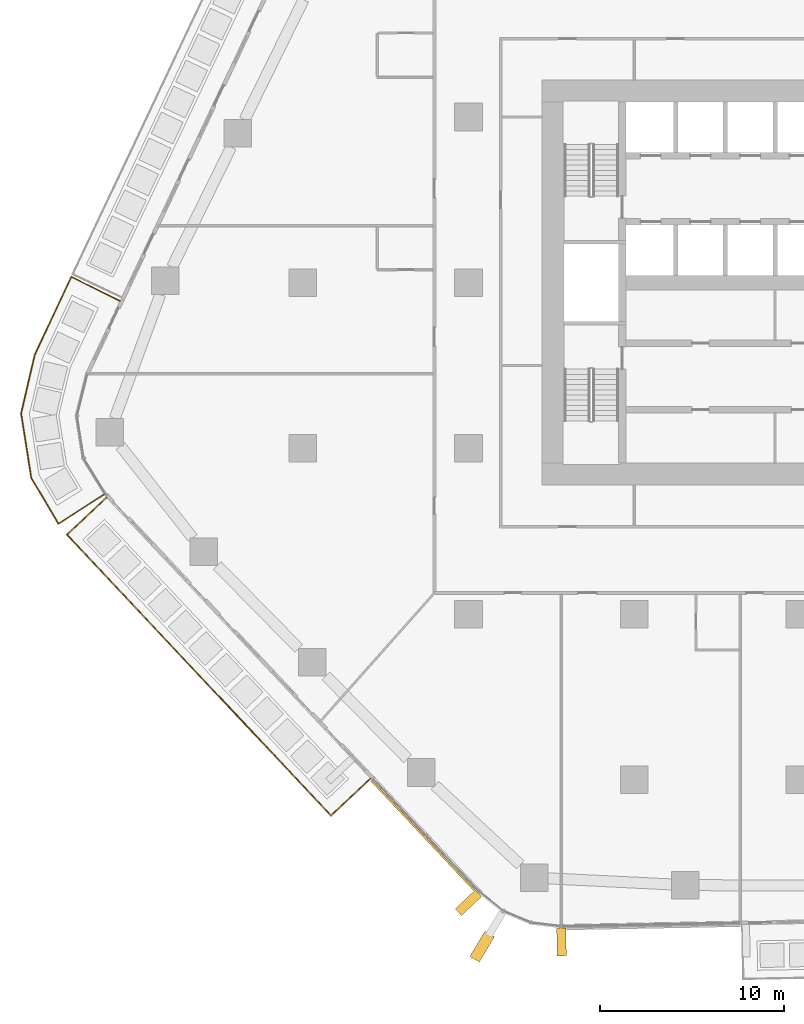
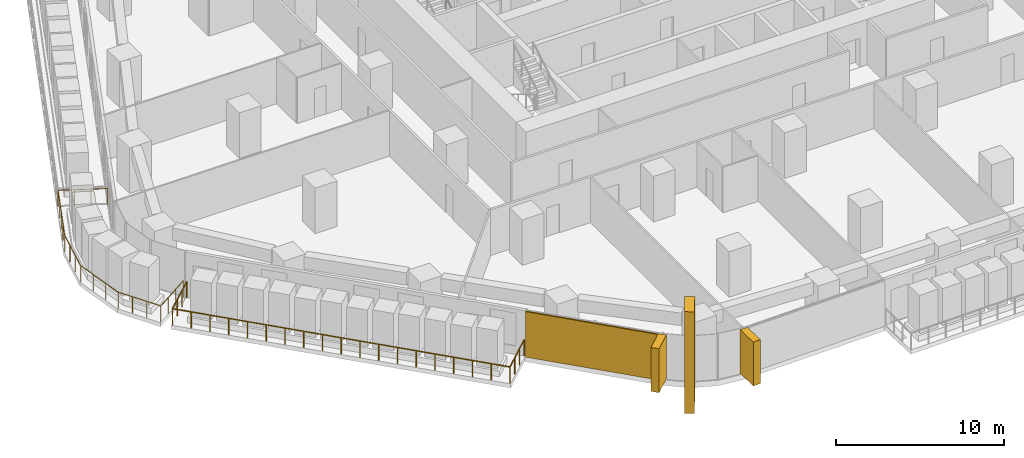
# One storey, part 19 of 25: 4 coverings, 2 railings, 3 elements without a shape of their own.
"""IFC4 building model written with IfcOpenShell, lengths in metres."""

from ifc_helpers import new_model, si_unit, direction, frame, origin, origin_2d, place, context, subcontext, project, spatial, rectangle, circle, extrude, material, layer, layer_set, material_profile, profile_set, type_object, element, aggregate, save


model = new_model("IFC4")

# Units and contexts
model_context = context("Model", 3, precision=1e-05, world=origin(), true_north=direction((0.0, 1.0)))
body_context = subcontext(model_context, "Body", "Model", "MODEL_VIEW")
ifc_project = project(units=[si_unit("LENGTHUNIT", "METRE"), si_unit("AREAUNIT", "SQUARE_METRE"), si_unit("VOLUMEUNIT", "CUBIC_METRE"), si_unit("PLANEANGLEUNIT", "RADIAN"), si_unit("MASSUNIT", "GRAM", prefix="KILO")], contexts=[model_context])

# Site, building, storey
site_placement = place(None, origin())
site = spatial("IfcSite", under=ifc_project, at=site_placement, CompositionType="ELEMENT")
building_placement = place(site_placement, origin())
building = spatial("IfcBuilding", under=site, at=building_placement, Name="Dongbaek Canopy Tower", CompositionType="ELEMENT")
storey_placement = place(building_placement, frame((0.0, 0.0, 77.300048828125)))
storey = spatial("IfcBuildingStorey", under=building, at=storey_placement, Name="L15", CompositionType="ELEMENT", Elevation=77.300048828125)

# Railings
ifc_material_1 = material(Name="Stainless steel", Category="steel")
railing_type = type_object("IfcRailingType", Name="Balcony balustrade 1200", PredefinedType="BALUSTRADE", material=ifc_material_1)
railing_1_placement = place(storey_placement, frame((-36.931396484375, -0.9892578125, 0.0)))
element("IfcRailing", 1, at=railing_1_placement, inside=storey, type_object=railing_type, Name="Balcony guard L15 6", PredefinedType="BALUSTRADE", context=body_context, shape_type="SweptSolid", body=[
    extrude(circle(Radius=0.02392578125, at=origin_2d()), frame((0.0, 0.0, 1.17578125), z_axis=(-0.895272455453, 0.445519057401, 0.0), x_axis=(-0.445519057401, -0.895272455453, 0.0)), (0.0, 0.0, 1.0), 2.9404296875),
    extrude(circle(Radius=0.02392578125, at=origin_2d()), frame((-2.632568359375, 1.31005859375, 1.17578125), z_axis=(-0.424383310079, -0.90548263712, 0.0), x_axis=(0.90548263712, -0.424383310079, 0.0)), (0.0, 0.0, 1.0), 4.70068359375),
    extrude(circle(Radius=0.02392578125, at=origin_2d()), frame((-4.62744140625, -2.9462890625, 1.17578125), z_axis=(-0.226652672565, -0.973975649603, 0.0), x_axis=(0.973975649603, -0.226652672565, 0.0)), (0.0, 0.0, 1.0), 3.2509765625),
    extrude(circle(Radius=0.02392578125, at=origin_2d()), frame((-5.3642578125, -6.112548828125, 1.17578125), z_axis=(0.155983820068, -0.987759610369, 0.0), x_axis=(0.987759610369, 0.155983820068, 0.0)), (0.0, 0.0, 1.0), 3.54052734375),
    extrude(circle(Radius=0.02392578125, at=origin_2d()), frame((-4.81201171875, -9.609619140625, 1.17578125), z_axis=(0.510032467284, -0.860155150142, 0.0), x_axis=(0.860155150142, 0.510032467284, 0.0)), (0.0, 0.0, 1.0), 2.908447265625),
    extrude(circle(Radius=0.02392578125, at=origin_2d()), frame((-3.32861328125, -12.111328125, 1.17578125), z_axis=(0.838883418602, 0.544311133448, 0.0), x_axis=(-0.544311133448, 0.838883418602, 0.0)), (0.0, 0.0, 1.0), 2.940673828125),
    extrude(circle(Radius=0.02099609375, at=origin_2d()), origin(), (0.0, 0.0, 1.0), 1.15185546875),
    extrude(circle(Radius=0.02099609375, at=origin_2d()), frame((-0.87744140625, 0.436767578125, 0.0)), (0.0, 0.0, 1.0), 1.15185546875),
    extrude(circle(Radius=0.02099609375, at=origin_2d()), frame((-1.755126953125, 0.873291015625, 0.0)), (0.0, 0.0, 1.0), 1.15185546875),
    extrude(circle(Radius=0.02099609375, at=origin_2d()), frame((-2.632568359375, 1.31005859375, 0.0)), (0.0, 0.0, 1.0), 1.15185546875),
    extrude(circle(Radius=0.02099609375, at=origin_2d()), frame((-3.13134765625, 0.24609375, 0.0)), (0.0, 0.0, 1.0), 1.15185546875),
    extrude(circle(Radius=0.02099609375, at=origin_2d()), frame((-3.6298828125, -0.818115234375, 0.0)), (0.0, 0.0, 1.0), 1.15185546875),
    extrude(circle(Radius=0.02099609375, at=origin_2d()), frame((-4.128662109375, -1.88232421875, 0.0)), (0.0, 0.0, 1.0), 1.15185546875),
    extrude(circle(Radius=0.02099609375, at=origin_2d()), frame((-4.62744140625, -2.9462890625, 0.0)), (0.0, 0.0, 1.0), 1.15185546875),
    extrude(circle(Radius=0.02099609375, at=origin_2d()), frame((-4.873046875, -4.001708984375, 0.0)), (0.0, 0.0, 1.0), 1.15185546875),
    extrude(circle(Radius=0.02099609375, at=origin_2d()), frame((-5.11865234375, -5.05712890625, 0.0)), (0.0, 0.0, 1.0), 1.15185546875),
    extrude(circle(Radius=0.02099609375, at=origin_2d()), frame((-5.3642578125, -6.112548828125, 0.0)), (0.0, 0.0, 1.0), 1.15185546875),
    extrude(circle(Radius=0.02099609375, at=origin_2d()), frame((-5.18017578125, -7.2783203125, 0.0)), (0.0, 0.0, 1.0), 1.15185546875),
    extrude(circle(Radius=0.02099609375, at=origin_2d()), frame((-4.99609375, -8.44384765625, 0.0)), (0.0, 0.0, 1.0), 1.15185546875),
    extrude(circle(Radius=0.02099609375, at=origin_2d()), frame((-4.81201171875, -9.609619140625, 0.0)), (0.0, 0.0, 1.0), 1.15185546875),
    extrude(circle(Radius=0.02099609375, at=origin_2d()), frame((-4.317626953125, -10.443603515625, 0.0)), (0.0, 0.0, 1.0), 1.15185546875),
    extrude(circle(Radius=0.02099609375, at=origin_2d()), frame((-3.822998046875, -11.27734375, 0.0)), (0.0, 0.0, 1.0), 1.15185546875),
    extrude(circle(Radius=0.02099609375, at=origin_2d()), frame((-3.32861328125, -12.111328125, 0.0)), (0.0, 0.0, 1.0), 1.15185546875),
    extrude(circle(Radius=0.02099609375, at=origin_2d()), frame((-2.50634765625, -11.577880859375, 0.0)), (0.0, 0.0, 1.0), 1.15185546875),
    extrude(circle(Radius=0.02099609375, at=origin_2d()), frame((-1.68408203125, -11.044189453125, 0.0)), (0.0, 0.0, 1.0), 1.15185546875),
    extrude(circle(Radius=0.02099609375, at=origin_2d()), frame((-0.86181640625, -10.5107421875, 0.0)), (0.0, 0.0, 1.0), 1.15185546875),
])
railing_2_placement = place(storey_placement, frame((-37.659912109375, -11.673583984375, 0.0)))
element("IfcRailing", 2, at=railing_2_placement, inside=storey, type_object=railing_type, Name="Balcony guard L15 3", PredefinedType="BALUSTRADE", context=body_context, shape_type="SweptSolid", body=[
    extrude(circle(Radius=0.02392578125, at=origin_2d()), frame((0.0, 0.0, 1.17578125), z_axis=(-0.728609434347, -0.684929406713, 0.0), x_axis=(0.684929406713, -0.728609434347, 0.0)), (0.0, 0.0, 1.0), 2.93994140625),
    extrude(circle(Radius=0.02392578125, at=origin_2d()), frame((-2.14208984375, -2.013671875, 1.17578125), z_axis=(0.684957443554, -0.728583077295, 0.0), x_axis=(0.728583077295, 0.684957443554, 0.0)), (0.0, 0.0, 1.0), 20.929931640625),
    extrude(circle(Radius=0.02392578125, at=origin_2d()), frame((12.194091796875, -17.262939453125, 1.17578125), z_axis=(0.728567993652, 0.684973487535, 0.0), x_axis=(-0.684973487535, 0.728567993652, 0.0)), (0.0, 0.0, 1.0), 2.940185546875),
    extrude(circle(Radius=0.02099609375, at=origin_2d()), origin(), (0.0, 0.0, 1.0), 1.15185546875),
    extrude(circle(Radius=0.02099609375, at=origin_2d()), frame((-0.714111328125, -0.671142578125, 0.0)), (0.0, 0.0, 1.0), 1.15185546875),
    extrude(circle(Radius=0.02099609375, at=origin_2d()), frame((-1.427978515625, -1.342529296875, 0.0)), (0.0, 0.0, 1.0), 1.15185546875),
    extrude(circle(Radius=0.02099609375, at=origin_2d()), frame((-2.14208984375, -2.013671875, 0.0)), (0.0, 0.0, 1.0), 1.15185546875),
    extrude(circle(Radius=0.02099609375, at=origin_2d()), frame((-1.345703125, -2.86083984375, 0.0)), (0.0, 0.0, 1.0), 1.15185546875),
    extrude(circle(Radius=0.02099609375, at=origin_2d()), frame((-0.549072265625, -3.7080078125, 0.0)), (0.0, 0.0, 1.0), 1.15185546875),
    extrude(circle(Radius=0.02099609375, at=origin_2d()), frame((0.247314453125, -4.55517578125, 0.0)), (0.0, 0.0, 1.0), 1.15185546875),
    extrude(circle(Radius=0.02099609375, at=origin_2d()), frame((1.043701171875, -5.40234375, 0.0)), (0.0, 0.0, 1.0), 1.15185546875),
    extrude(circle(Radius=0.02099609375, at=origin_2d()), frame((1.840087890625, -6.24951171875, 0.0)), (0.0, 0.0, 1.0), 1.15185546875),
    extrude(circle(Radius=0.02099609375, at=origin_2d()), frame((2.63671875, -7.0966796875, 0.0)), (0.0, 0.0, 1.0), 1.15185546875),
    extrude(circle(Radius=0.02099609375, at=origin_2d()), frame((3.43310546875, -7.94384765625, 0.0)), (0.0, 0.0, 1.0), 1.15185546875),
    extrude(circle(Radius=0.02099609375, at=origin_2d()), frame((4.2294921875, -8.791015625, 0.0)), (0.0, 0.0, 1.0), 1.15185546875),
    extrude(circle(Radius=0.02099609375, at=origin_2d()), frame((5.02587890625, -9.63818359375, 0.0)), (0.0, 0.0, 1.0), 1.15185546875),
    extrude(circle(Radius=0.02099609375, at=origin_2d()), frame((5.822509765625, -10.485595703125, 0.0)), (0.0, 0.0, 1.0), 1.15185546875),
    extrude(circle(Radius=0.02099609375, at=origin_2d()), frame((6.618896484375, -11.332763671875, 0.0)), (0.0, 0.0, 1.0), 1.15185546875),
    extrude(circle(Radius=0.02099609375, at=origin_2d()), frame((7.415283203125, -12.179931640625, 0.0)), (0.0, 0.0, 1.0), 1.15185546875),
    extrude(circle(Radius=0.02099609375, at=origin_2d()), frame((8.2119140625, -13.027099609375, 0.0)), (0.0, 0.0, 1.0), 1.15185546875),
    extrude(circle(Radius=0.02099609375, at=origin_2d()), frame((9.00830078125, -13.874267578125, 0.0)), (0.0, 0.0, 1.0), 1.15185546875),
    extrude(circle(Radius=0.02099609375, at=origin_2d()), frame((9.8046875, -14.721435546875, 0.0)), (0.0, 0.0, 1.0), 1.15185546875),
    extrude(circle(Radius=0.02099609375, at=origin_2d()), frame((10.60107421875, -15.568603515625, 0.0)), (0.0, 0.0, 1.0), 1.15185546875),
    extrude(circle(Radius=0.02099609375, at=origin_2d()), frame((11.397705078125, -16.415771484375, 0.0)), (0.0, 0.0, 1.0), 1.15185546875),
    extrude(circle(Radius=0.02099609375, at=origin_2d()), frame((12.194091796875, -17.262939453125, 0.0)), (0.0, 0.0, 1.0), 1.15185546875),
    extrude(circle(Radius=0.02099609375, at=origin_2d()), frame((12.908203125, -16.591552734375, 0.0)), (0.0, 0.0, 1.0), 1.15185546875),
    extrude(circle(Radius=0.02099609375, at=origin_2d()), frame((13.6220703125, -15.92041015625, 0.0)), (0.0, 0.0, 1.0), 1.15185546875),
    extrude(circle(Radius=0.02099609375, at=origin_2d()), frame((14.336181640625, -15.2490234375, 0.0)), (0.0, 0.0, 1.0), 1.15185546875),
])

# Curtain wall, covering
ifc_material_2 = material(Name="Aluminium 6063-T6 pale anodised", Category="aluminium")
ifc_layer_1 = layer(ifc_material_2, 0.199951171875)
ifc_layer_set_1 = layer_set([ifc_layer_1], Name="CW-1 unitised tower curtain wall")
curtain_wall_type = type_object("IfcCurtainWallType", Name="CW-1 unitised tower curtain wall", PredefinedType="NOTDEFINED", material=ifc_layer_set_1)
curtain_wall_1_placement = place(storey_placement, origin())
curtain_wall_1 = element("IfcCurtainWall", 3, at=curtain_wall_1_placement, inside=storey, type_object=curtain_wall_type, Name="CW-1 curtain wall K4.1", PredefinedType="NOTDEFINED")
ifc_material_3 = material(Name="Aluminium 6063-T6 pale metal fin", Category="aluminium")
ifc_material_profile_1 = material_profile(ifc_material_3, rectangle(XDim=1.60009765625, YDim=0.60009765625, at=origin_2d()), Name="Corner fin CN1 600 x 1600 pale metal")
ifc_profile_set_1 = profile_set([ifc_material_profile_1], Name="Aluminium 6063-T6 pale metal fin")
covering_type_1 = type_object("IfcCoveringType", Name="Corner fin CN1 600 x 1600 pale metal", PredefinedType="CLADDING", material=ifc_profile_set_1)
covering_1_placement = place(storey_placement, frame((-17.257568359375, -36.05615234375, -0.199951171875), z_axis=(0.0, 0.0, 1.0), x_axis=(-0.512291705237, -0.858811509439, 0.0)))
covering_1 = element("IfcCovering", 4, at=covering_1_placement, type_object=covering_type_1, Name="Corner fin L15 L16 K4", PredefinedType="CLADDING", context=body_context, shape_type="SweptSolid", body=[
    extrude(rectangle(XDim=1.60009765625, YDim=0.60009765625, at=origin_2d()), origin(), (0.0, 0.0, 1.0), 7.3798828125),
])
aggregate(curtain_wall_1, [covering_1])

# Curtain wall, coverings
curtain_wall_2_placement = place(storey_placement, origin())
curtain_wall_2 = element("IfcCurtainWall", 5, at=curtain_wall_2_placement, inside=storey, type_object=curtain_wall_type, Name="CW-1 curtain wall F3.1", PredefinedType="NOTDEFINED")
ifc_material_4 = material(Name="Perforated aluminium 6063-T6 pale metal screen", Category="aluminium")
ifc_layer_2 = layer(ifc_material_4, 0.10009765625)
ifc_layer_set_2 = layer_set([ifc_layer_2], Name="Facet screen FS1 100 pale metal")
covering_type_2 = type_object("IfcCoveringType", Name="Facet screen FS1 100 pale metal", PredefinedType="CLADDING", material=ifc_layer_set_2)
covering_2_placement = place(storey_placement, frame((-20.486328125, -30.008056640625, 0.0), z_axis=(0.0, 0.0, 1.0), x_axis=(0.684955403651, -0.728584995048, 0.0)))
covering_2 = element("IfcCovering", 6, at=covering_2_placement, type_object=covering_type_2, Name="Facet screen L15 F3", PredefinedType="CLADDING", context=body_context, shape_type="SweptSolid", body=[
    extrude(rectangle(XDim=8.1630859375, YDim=0.10009765625, at=origin_2d()), origin(), (0.0, 0.0, 1.0), 3.300048828125),
])
ifc_material_5 = material(Name="Aluminium 6063-T6 pale metal fin", Category="aluminium")
ifc_material_profile_2 = material_profile(ifc_material_5, rectangle(XDim=1.5, YDim=0.5, at=origin_2d()), Name="Fin FN1 500 x 1500 pale metal")
ifc_profile_set_2 = profile_set([ifc_material_profile_2], Name="Aluminium 6063-T6 pale metal fin")
covering_type_3 = type_object("IfcCoveringType", Name="Fin FN1 500 x 1500 pale metal", PredefinedType="CLADDING", material=ifc_profile_set_2)
covering_3_placement = place(storey_placement, frame((-18.005126953125, -33.67529296875, 0.119873046875), z_axis=(0.0, 0.0, 1.0), x_axis=(-0.728584719372, -0.684955696886, 0.0)))
covering_3 = element("IfcCovering", 7, at=covering_3_placement, type_object=covering_type_3, Name="Fin F3.1.3", PredefinedType="CLADDING", context=body_context, shape_type="SweptSolid", body=[
    extrude(rectangle(XDim=1.5, YDim=0.5, at=origin_2d()), origin(), (0.0, 0.0, 1.0), 3.18017578125),
])
aggregate(curtain_wall_2, [covering_3, covering_2])

# Curtain wall, covering
curtain_wall_3_placement = place(storey_placement, origin())
curtain_wall_3 = element("IfcCurtainWall", 8, at=curtain_wall_3_placement, inside=storey, type_object=curtain_wall_type, Name="CW-1 curtain wall F4.1", PredefinedType="NOTDEFINED")
covering_4_placement = place(storey_placement, frame((-12.947509765625, -35.8056640625, 0.119873046875), z_axis=(0.0, 0.0, 1.0), x_axis=(0.018951731053, -0.999820399817, 0.0)))
covering_4 = element("IfcCovering", 9, at=covering_4_placement, type_object=covering_type_3, Name="Fin F4.1.1", PredefinedType="CLADDING", context=body_context, shape_type="SweptSolid", body=[
    extrude(rectangle(XDim=1.5, YDim=0.5, at=origin_2d()), origin(), (0.0, 0.0, 1.0), 3.18017578125),
])
aggregate(curtain_wall_3, [covering_4])

save(model, "model.ifc")
